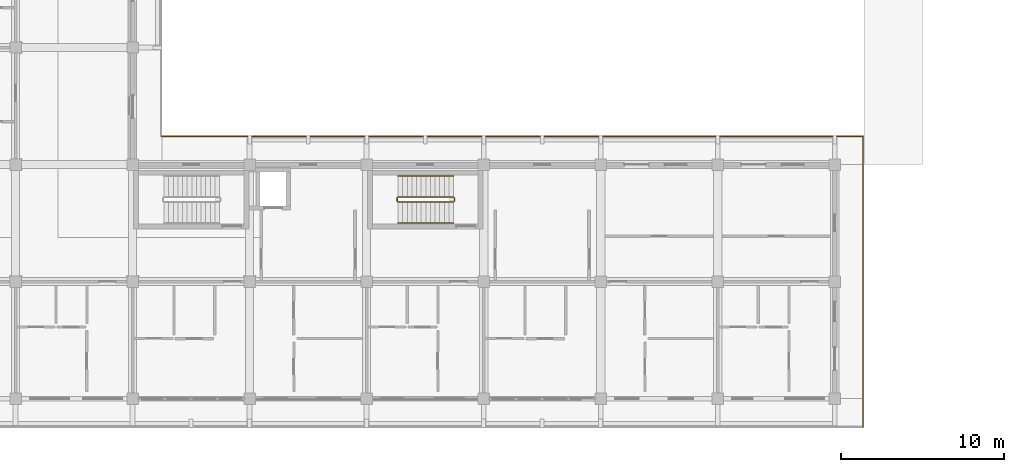
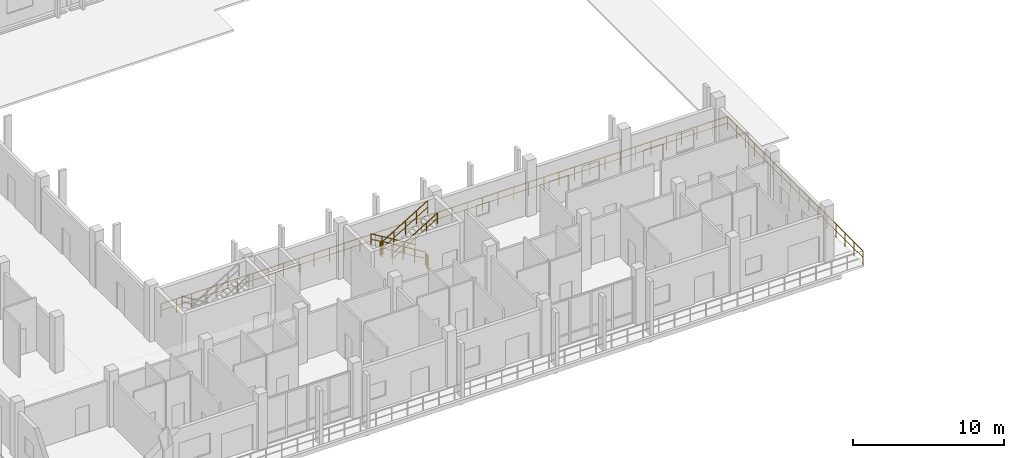
# One storey, part 95 of 110: 8 railings.
"""IFC4 building model written with IfcOpenShell, lengths in metres."""

from ifc_helpers import new_model, si_unit, direction, frame, origin, origin_2d, place, context, subcontext, project, spatial, rectangle, extrude, material, type_object, element, save


model = new_model("IFC4")

# Units and contexts
model_context = context("Model", 3, precision=1e-05, world=origin(), true_north=direction((0.0, 1.0)))
body_context = subcontext(model_context, "Body", "Model", "MODEL_VIEW")
ifc_project = project(units=[si_unit("LENGTHUNIT", "METRE"), si_unit("AREAUNIT", "SQUARE_METRE"), si_unit("VOLUMEUNIT", "CUBIC_METRE"), si_unit("PLANEANGLEUNIT", "RADIAN"), si_unit("MASSUNIT", "GRAM", prefix="KILO")], contexts=[model_context])

# Site, building, storey
site_placement = place(None, origin())
site = spatial("IfcSite", under=ifc_project, at=site_placement, CompositionType="ELEMENT")
building_placement = place(site_placement, origin())
building = spatial("IfcBuilding", under=site, at=building_placement, Name="Suanplinth Sawtooth Commons", CompositionType="ELEMENT")
storey_placement = place(building_placement, frame((0.0, 0.0, 4.5)))
storey = spatial("IfcBuildingStorey", under=building, at=storey_placement, Name="L01", CompositionType="ELEMENT", Elevation=4.5)

# Railings
ifc_material_1 = material(Name="Powder-coated galvanized steel", Category="steel")
railing_type_1 = type_object("IfcRailingType", Name="GR-01", PredefinedType="BALUSTRADE", material=ifc_material_1)
railing_1_placement = place(storey_placement, frame((16.139892578125, 16.139892578125, 0.0)))
element("IfcRailing", 1, at=railing_1_placement, inside=storey, type_object=railing_type_1, Name="L01 Block D Perimeter Balustrade 4", PredefinedType="BALUSTRADE", context=body_context, shape_type="SweptSolid", body=[
    extrude(rectangle(XDim=0.048095703125, YDim=0.048095703125, at=origin_2d()), frame((0.0, 0.0, 1.09619140625), z_axis=(1.0, 0.0, 0.0), x_axis=(0.0, 1.0, 0.0)), (0.0, 0.0, 1.0), 43.2001953125),
    extrude(rectangle(XDim=0.03369140625, YDim=0.03369140625, at=origin_2d()), frame((0.0, 0.0, 0.56005859375), z_axis=(1.0, 0.0, 0.0), x_axis=(0.0, 1.0, 0.0)), (0.0, 0.0, 1.0), 43.2001953125),
    extrude(rectangle(XDim=0.0419921875, YDim=0.0419921875, at=origin_2d()), origin(), (0.0, 0.0, 1.0), 1.072021484375),
    extrude(rectangle(XDim=0.0419921875, YDim=0.0419921875, at=origin_2d()), frame((1.16748046875, 0.0, 0.0)), (0.0, 0.0, 1.0), 1.072021484375),
    extrude(rectangle(XDim=0.0419921875, YDim=0.0419921875, at=origin_2d()), frame((2.335205078125, 0.0, 0.0)), (0.0, 0.0, 1.0), 1.072021484375),
    extrude(rectangle(XDim=0.0419921875, YDim=0.0419921875, at=origin_2d()), frame((3.502685546875, 0.0, 0.0)), (0.0, 0.0, 1.0), 1.072021484375),
    extrude(rectangle(XDim=0.0419921875, YDim=0.0419921875, at=origin_2d()), frame((4.67041015625, 0.0, 0.0)), (0.0, 0.0, 1.0), 1.072021484375),
    extrude(rectangle(XDim=0.0419921875, YDim=0.0419921875, at=origin_2d()), frame((5.837890625, 0.0, 0.0)), (0.0, 0.0, 1.0), 1.072021484375),
    extrude(rectangle(XDim=0.0419921875, YDim=0.0419921875, at=origin_2d()), frame((7.00537109375, 0.0, 0.0)), (0.0, 0.0, 1.0), 1.072021484375),
    extrude(rectangle(XDim=0.0419921875, YDim=0.0419921875, at=origin_2d()), frame((8.173095703125, 0.0, 0.0)), (0.0, 0.0, 1.0), 1.072021484375),
    extrude(rectangle(XDim=0.0419921875, YDim=0.0419921875, at=origin_2d()), frame((9.340576171875, 0.0, 0.0)), (0.0, 0.0, 1.0), 1.072021484375),
    extrude(rectangle(XDim=0.0419921875, YDim=0.0419921875, at=origin_2d()), frame((10.508056640625, 0.0, 0.0)), (0.0, 0.0, 1.0), 1.072021484375),
    extrude(rectangle(XDim=0.0419921875, YDim=0.0419921875, at=origin_2d()), frame((11.67578125, 0.0, 0.0)), (0.0, 0.0, 1.0), 1.072021484375),
    extrude(rectangle(XDim=0.0419921875, YDim=0.0419921875, at=origin_2d()), frame((12.84326171875, 0.0, 0.0)), (0.0, 0.0, 1.0), 1.072021484375),
    extrude(rectangle(XDim=0.0419921875, YDim=0.0419921875, at=origin_2d()), frame((14.010986328125, 0.0, 0.0)), (0.0, 0.0, 1.0), 1.072021484375),
    extrude(rectangle(XDim=0.0419921875, YDim=0.0419921875, at=origin_2d()), frame((15.178466796875, 0.0, 0.0)), (0.0, 0.0, 1.0), 1.072021484375),
    extrude(rectangle(XDim=0.0419921875, YDim=0.0419921875, at=origin_2d()), frame((16.345947265625, 0.0, 0.0)), (0.0, 0.0, 1.0), 1.072021484375),
    extrude(rectangle(XDim=0.0419921875, YDim=0.0419921875, at=origin_2d()), frame((17.513671875, 0.0, 0.0)), (0.0, 0.0, 1.0), 1.072021484375),
    extrude(rectangle(XDim=0.0419921875, YDim=0.0419921875, at=origin_2d()), frame((18.68115234375, 0.0, 0.0)), (0.0, 0.0, 1.0), 1.072021484375),
    extrude(rectangle(XDim=0.0419921875, YDim=0.0419921875, at=origin_2d()), frame((19.8486328125, 0.0, 0.0)), (0.0, 0.0, 1.0), 1.072021484375),
    extrude(rectangle(XDim=0.0419921875, YDim=0.0419921875, at=origin_2d()), frame((21.016357421875, 0.0, 0.0)), (0.0, 0.0, 1.0), 1.072021484375),
    extrude(rectangle(XDim=0.0419921875, YDim=0.0419921875, at=origin_2d()), frame((22.183837890625, 0.0, 0.0)), (0.0, 0.0, 1.0), 1.072021484375),
    extrude(rectangle(XDim=0.0419921875, YDim=0.0419921875, at=origin_2d()), frame((23.3515625, 0.0, 0.0)), (0.0, 0.0, 1.0), 1.072021484375),
    extrude(rectangle(XDim=0.0419921875, YDim=0.0419921875, at=origin_2d()), frame((24.51904296875, 0.0, 0.0)), (0.0, 0.0, 1.0), 1.072021484375),
    extrude(rectangle(XDim=0.0419921875, YDim=0.0419921875, at=origin_2d()), frame((25.6865234375, 0.0, 0.0)), (0.0, 0.0, 1.0), 1.072021484375),
    extrude(rectangle(XDim=0.0419921875, YDim=0.0419921875, at=origin_2d()), frame((26.854248046875, 0.0, 0.0)), (0.0, 0.0, 1.0), 1.072021484375),
    extrude(rectangle(XDim=0.0419921875, YDim=0.0419921875, at=origin_2d()), frame((28.021728515625, 0.0, 0.0)), (0.0, 0.0, 1.0), 1.072021484375),
    extrude(rectangle(XDim=0.0419921875, YDim=0.0419921875, at=origin_2d()), frame((29.189208984375, 0.0, 0.0)), (0.0, 0.0, 1.0), 1.072021484375),
    extrude(rectangle(XDim=0.0419921875, YDim=0.0419921875, at=origin_2d()), frame((30.35693359375, 0.0, 0.0)), (0.0, 0.0, 1.0), 1.072021484375),
    extrude(rectangle(XDim=0.0419921875, YDim=0.0419921875, at=origin_2d()), frame((31.5244140625, 0.0, 0.0)), (0.0, 0.0, 1.0), 1.072021484375),
    extrude(rectangle(XDim=0.0419921875, YDim=0.0419921875, at=origin_2d()), frame((32.692138671875, 0.0, 0.0)), (0.0, 0.0, 1.0), 1.072021484375),
    extrude(rectangle(XDim=0.0419921875, YDim=0.0419921875, at=origin_2d()), frame((33.859619140625, 0.0, 0.0)), (0.0, 0.0, 1.0), 1.072021484375),
    extrude(rectangle(XDim=0.0419921875, YDim=0.0419921875, at=origin_2d()), frame((35.027099609375, 0.0, 0.0)), (0.0, 0.0, 1.0), 1.072021484375),
    extrude(rectangle(XDim=0.0419921875, YDim=0.0419921875, at=origin_2d()), frame((36.19482421875, 0.0, 0.0)), (0.0, 0.0, 1.0), 1.072021484375),
    extrude(rectangle(XDim=0.0419921875, YDim=0.0419921875, at=origin_2d()), frame((37.3623046875, 0.0, 0.0)), (0.0, 0.0, 1.0), 1.072021484375),
    extrude(rectangle(XDim=0.0419921875, YDim=0.0419921875, at=origin_2d()), frame((38.52978515625, 0.0, 0.0)), (0.0, 0.0, 1.0), 1.072021484375),
    extrude(rectangle(XDim=0.0419921875, YDim=0.0419921875, at=origin_2d()), frame((39.697509765625, 0.0, 0.0)), (0.0, 0.0, 1.0), 1.072021484375),
    extrude(rectangle(XDim=0.0419921875, YDim=0.0419921875, at=origin_2d()), frame((40.864990234375, 0.0, 0.0)), (0.0, 0.0, 1.0), 1.072021484375),
    extrude(rectangle(XDim=0.0419921875, YDim=0.0419921875, at=origin_2d()), frame((42.03271484375, 0.0, 0.0)), (0.0, 0.0, 1.0), 1.072021484375),
    extrude(rectangle(XDim=0.0419921875, YDim=0.0419921875, at=origin_2d()), frame((43.2001953125, 0.0, 0.0)), (0.0, 0.0, 1.0), 1.072021484375),
])
railing_2_placement = place(storey_placement, frame((59.340087890625, 16.139892578125, 0.0)))
element("IfcRailing", 2, at=railing_2_placement, inside=storey, type_object=railing_type_1, Name="L01 Block D Perimeter Balustrade 5", PredefinedType="BALUSTRADE", context=body_context, shape_type="SweptSolid", body=[
    extrude(rectangle(XDim=0.048095703125, YDim=0.048095703125, at=origin_2d()), frame((0.0, 0.0, 1.09619140625), z_axis=(0.0, -1.0, 0.0), x_axis=(1.0, 0.0, 0.0)), (0.0, 0.0, 1.0), 17.8798828125),
    extrude(rectangle(XDim=0.03369140625, YDim=0.03369140625, at=origin_2d()), frame((0.0, 0.0, 0.56005859375), z_axis=(0.0, -1.0, 0.0), x_axis=(1.0, 0.0, 0.0)), (0.0, 0.0, 1.0), 17.8798828125),
    extrude(rectangle(XDim=0.0419921875, YDim=0.0419921875, at=origin_2d()), origin(), (0.0, 0.0, 1.0), 1.072021484375),
    extrude(rectangle(XDim=0.0419921875, YDim=0.0419921875, at=origin_2d()), frame((0.0, -1.19189453125, 0.0)), (0.0, 0.0, 1.0), 1.072021484375),
    extrude(rectangle(XDim=0.0419921875, YDim=0.0419921875, at=origin_2d()), frame((0.0, -2.384033203125, 0.0)), (0.0, 0.0, 1.0), 1.072021484375),
    extrude(rectangle(XDim=0.0419921875, YDim=0.0419921875, at=origin_2d()), frame((0.0, -3.575927734375, 0.0)), (0.0, 0.0, 1.0), 1.072021484375),
    extrude(rectangle(XDim=0.0419921875, YDim=0.0419921875, at=origin_2d()), frame((0.0, -4.76806640625, 0.0)), (0.0, 0.0, 1.0), 1.072021484375),
    extrude(rectangle(XDim=0.0419921875, YDim=0.0419921875, at=origin_2d()), frame((0.0, -5.9599609375, 0.0)), (0.0, 0.0, 1.0), 1.072021484375),
    extrude(rectangle(XDim=0.0419921875, YDim=0.0419921875, at=origin_2d()), frame((0.0, -7.15185546875, 0.0)), (0.0, 0.0, 1.0), 1.072021484375),
    extrude(rectangle(XDim=0.0419921875, YDim=0.0419921875, at=origin_2d()), frame((0.0, -8.343994140625, 0.0)), (0.0, 0.0, 1.0), 1.072021484375),
    extrude(rectangle(XDim=0.0419921875, YDim=0.0419921875, at=origin_2d()), frame((0.0, -9.535888671875, 0.0)), (0.0, 0.0, 1.0), 1.072021484375),
    extrude(rectangle(XDim=0.0419921875, YDim=0.0419921875, at=origin_2d()), frame((0.0, -10.72802734375, 0.0)), (0.0, 0.0, 1.0), 1.072021484375),
    extrude(rectangle(XDim=0.0419921875, YDim=0.0419921875, at=origin_2d()), frame((0.0, -11.919921875, 0.0)), (0.0, 0.0, 1.0), 1.072021484375),
    extrude(rectangle(XDim=0.0419921875, YDim=0.0419921875, at=origin_2d()), frame((0.0, -13.11181640625, 0.0)), (0.0, 0.0, 1.0), 1.072021484375),
    extrude(rectangle(XDim=0.0419921875, YDim=0.0419921875, at=origin_2d()), frame((0.0, -14.303955078125, 0.0)), (0.0, 0.0, 1.0), 1.072021484375),
    extrude(rectangle(XDim=0.0419921875, YDim=0.0419921875, at=origin_2d()), frame((0.0, -15.495849609375, 0.0)), (0.0, 0.0, 1.0), 1.072021484375),
    extrude(rectangle(XDim=0.0419921875, YDim=0.0419921875, at=origin_2d()), frame((0.0, -16.68798828125, 0.0)), (0.0, 0.0, 1.0), 1.072021484375),
    extrude(rectangle(XDim=0.0419921875, YDim=0.0419921875, at=origin_2d()), frame((0.0, -17.8798828125, 0.0)), (0.0, 0.0, 1.0), 1.072021484375),
])
ifc_material_2 = material(Name="Stainless steel Grade 304", Category="steel")
railing_type_2 = type_object("IfcRailingType", Name="GR-04", PredefinedType="GUARDRAIL", material=ifc_material_2)
railing_3_placement = place(storey_placement, frame((34.14990234375, 12.39990234375, 0.173095703125)))
element("IfcRailing", 3, at=railing_3_placement, inside=storey, type_object=railing_type_2, Name="L01 ST-W2 Guard 1", PredefinedType="GUARDRAIL", context=body_context, shape_type="SweptSolid", body=[
    extrude(rectangle(XDim=0.048095703125, YDim=0.048095703125, at=origin_2d()), frame((0.0, 0.0, 1.076171875), z_axis=(-0.854729506542, 0.0, 0.519073665916), x_axis=(0.0, -1.0, 0.0)), (0.0, 0.0, 1.0), 4.001220703125),
    extrude(rectangle(XDim=0.03369140625, YDim=0.03369140625, at=origin_2d()), frame((0.0, 0.0, 0.550048828125), z_axis=(-0.854729506542, 0.0, 0.519073665916), x_axis=(0.0, -1.0, 0.0)), (0.0, 0.0, 1.0), 4.001220703125),
    extrude(rectangle(XDim=0.0419921875, YDim=0.0419921875, at=origin_2d()), origin(), (0.0, 0.0, 1.0), 1.052001953125),
    extrude(rectangle(XDim=0.0419921875, YDim=0.0419921875, at=origin_2d()), frame((-0.85498046875, 0.0, 0.519287109375)), (0.0, 0.0, 1.0), 1.052001953125),
    extrude(rectangle(XDim=0.0419921875, YDim=0.0419921875, at=origin_2d()), frame((-1.7099609375, 0.0, 1.03857421875)), (0.0, 0.0, 1.0), 1.052001953125),
    extrude(rectangle(XDim=0.0419921875, YDim=0.0419921875, at=origin_2d()), frame((-2.56494140625, 0.0, 1.5576171875)), (0.0, 0.0, 1.0), 1.052001953125),
    extrude(rectangle(XDim=0.0419921875, YDim=0.0419921875, at=origin_2d()), frame((-3.419921875, 0.0, 2.076904296875)), (0.0, 0.0, 1.0), 1.052001953125),
])
railing_4_placement = place(storey_placement, frame((30.679931640625, 12.35009765625, 2.25)))
element("IfcRailing", 4, at=railing_4_placement, inside=storey, type_object=railing_type_2, Name="L01 ST-W2 Guard 2", PredefinedType="GUARDRAIL", context=body_context, shape_type="SweptSolid", body=[
    extrude(rectangle(XDim=0.048095703125, YDim=0.048095703125, at=origin_2d()), frame((0.0, 0.0, 1.076171875), z_axis=(0.0, -1.0, 0.0), x_axis=(1.0, 0.0, 0.0)), (0.0, 0.0, 1.0), 0.2001953125),
    extrude(rectangle(XDim=0.03369140625, YDim=0.03369140625, at=origin_2d()), frame((0.0, 0.0, 0.550048828125), z_axis=(0.0, -1.0, 0.0), x_axis=(1.0, 0.0, 0.0)), (0.0, 0.0, 1.0), 0.2001953125),
    extrude(rectangle(XDim=0.0419921875, YDim=0.0419921875, at=origin_2d()), origin(), (0.0, 0.0, 1.0), 1.052001953125),
    extrude(rectangle(XDim=0.0419921875, YDim=0.0419921875, at=origin_2d()), frame((0.0, -0.2001953125, 0.0)), (0.0, 0.0, 1.0), 1.052001953125),
])
railing_5_placement = place(storey_placement, frame((30.72998046875, 12.10009765625, 2.423095703125)))
element("IfcRailing", 5, at=railing_5_placement, inside=storey, type_object=railing_type_2, Name="L01 ST-W2 Guard 3", PredefinedType="GUARDRAIL", context=body_context, shape_type="SweptSolid", body=[
    extrude(rectangle(XDim=0.048095703125, YDim=0.048095703125, at=origin_2d()), frame((0.0, 0.0, 1.076171875), z_axis=(0.854729506542, 0.0, 0.519073665916), x_axis=(0.0, 1.0, 0.0)), (0.0, 0.0, 1.0), 4.001220703125),
    extrude(rectangle(XDim=0.03369140625, YDim=0.03369140625, at=origin_2d()), frame((0.0, 0.0, 0.550048828125), z_axis=(0.854729506542, 0.0, 0.519073665916), x_axis=(0.0, 1.0, 0.0)), (0.0, 0.0, 1.0), 4.001220703125),
    extrude(rectangle(XDim=0.0419921875, YDim=0.0419921875, at=origin_2d()), origin(), (0.0, 0.0, 1.0), 1.052001953125),
    extrude(rectangle(XDim=0.0419921875, YDim=0.0419921875, at=origin_2d()), frame((0.85498046875, 0.0, 0.519287109375)), (0.0, 0.0, 1.0), 1.052001953125),
    extrude(rectangle(XDim=0.0419921875, YDim=0.0419921875, at=origin_2d()), frame((1.7099609375, 0.0, 1.03857421875)), (0.0, 0.0, 1.0), 1.052001953125),
    extrude(rectangle(XDim=0.0419921875, YDim=0.0419921875, at=origin_2d()), frame((2.56494140625, 0.0, 1.5576171875)), (0.0, 0.0, 1.0), 1.052001953125),
    extrude(rectangle(XDim=0.0419921875, YDim=0.0419921875, at=origin_2d()), frame((3.419921875, 0.0, 2.076904296875)), (0.0, 0.0, 1.0), 1.052001953125),
])
railing_6_placement = place(storey_placement, frame((34.199951171875, 12.35009765625, 0.0)))
element("IfcRailing", 6, at=railing_6_placement, inside=storey, type_object=railing_type_2, Name="L01 ST-W2 Guard 4", PredefinedType="GUARDRAIL", context=body_context, shape_type="SweptSolid", body=[
    extrude(rectangle(XDim=0.048095703125, YDim=0.048095703125, at=origin_2d()), frame((0.0, 0.0, 1.076171875), z_axis=(0.0, -1.0, 0.0), x_axis=(1.0, 0.0, 0.0)), (0.0, 0.0, 1.0), 0.2001953125),
    extrude(rectangle(XDim=0.03369140625, YDim=0.03369140625, at=origin_2d()), frame((0.0, 0.0, 0.550048828125), z_axis=(0.0, -1.0, 0.0), x_axis=(1.0, 0.0, 0.0)), (0.0, 0.0, 1.0), 0.2001953125),
    extrude(rectangle(XDim=0.0419921875, YDim=0.0419921875, at=origin_2d()), origin(), (0.0, 0.0, 1.0), 1.052001953125),
    extrude(rectangle(XDim=0.0419921875, YDim=0.0419921875, at=origin_2d()), frame((0.0, -0.2001953125, 0.0)), (0.0, 0.0, 1.0), 1.052001953125),
])
railing_type_3 = type_object("IfcRailingType", Name="HR-01", PredefinedType="HANDRAIL", material=ifc_material_2)
railing_7_placement = place(storey_placement, frame((34.14990234375, 13.699951171875, 0.173095703125)))
element("IfcRailing", 7, at=railing_7_placement, inside=storey, type_object=railing_type_3, Name="L01 ST-W2 Handrail 1", PredefinedType="HANDRAIL", context=body_context, shape_type="SweptSolid", body=[
    extrude(rectangle(XDim=0.048095703125, YDim=0.048095703125, at=origin_2d()), frame((0.0, 0.0, 0.8759765625), z_axis=(-0.854729506542, 0.0, 0.519073665916), x_axis=(0.0, -1.0, 0.0)), (0.0, 0.0, 1.0), 4.001220703125),
    extrude(rectangle(XDim=0.03369140625, YDim=0.03369140625, at=origin_2d()), frame((0.0, 0.0, 0.449951171875), z_axis=(-0.854729506542, 0.0, 0.519073665916), x_axis=(0.0, -1.0, 0.0)), (0.0, 0.0, 1.0), 4.001220703125),
    extrude(rectangle(XDim=0.0419921875, YDim=0.0419921875, at=origin_2d()), origin(), (0.0, 0.0, 1.0), 0.851806640625),
    extrude(rectangle(XDim=0.0419921875, YDim=0.0419921875, at=origin_2d()), frame((-0.85498046875, 0.0, 0.519287109375)), (0.0, 0.0, 1.0), 0.851806640625),
    extrude(rectangle(XDim=0.0419921875, YDim=0.0419921875, at=origin_2d()), frame((-1.7099609375, 0.0, 1.03857421875)), (0.0, 0.0, 1.0), 0.851806640625),
    extrude(rectangle(XDim=0.0419921875, YDim=0.0419921875, at=origin_2d()), frame((-2.56494140625, 0.0, 1.5576171875)), (0.0, 0.0, 1.0), 0.851806640625),
    extrude(rectangle(XDim=0.0419921875, YDim=0.0419921875, at=origin_2d()), frame((-3.419921875, 0.0, 2.076904296875)), (0.0, 0.0, 1.0), 0.851806640625),
])
railing_8_placement = place(storey_placement, frame((30.72998046875, 10.800048828125, 2.423095703125)))
element("IfcRailing", 8, at=railing_8_placement, inside=storey, type_object=railing_type_3, Name="L01 ST-W2 Handrail 2", PredefinedType="HANDRAIL", context=body_context, shape_type="SweptSolid", body=[
    extrude(rectangle(XDim=0.048095703125, YDim=0.048095703125, at=origin_2d()), frame((0.0, 0.0, 0.8759765625), z_axis=(0.854729506542, 0.0, 0.519073665916), x_axis=(0.0, 1.0, 0.0)), (0.0, 0.0, 1.0), 4.001220703125),
    extrude(rectangle(XDim=0.03369140625, YDim=0.03369140625, at=origin_2d()), frame((0.0, 0.0, 0.449951171875), z_axis=(0.854729506542, 0.0, 0.519073665916), x_axis=(0.0, 1.0, 0.0)), (0.0, 0.0, 1.0), 4.001220703125),
    extrude(rectangle(XDim=0.0419921875, YDim=0.0419921875, at=origin_2d()), origin(), (0.0, 0.0, 1.0), 0.851806640625),
    extrude(rectangle(XDim=0.0419921875, YDim=0.0419921875, at=origin_2d()), frame((0.85498046875, 0.0, 0.519287109375)), (0.0, 0.0, 1.0), 0.851806640625),
    extrude(rectangle(XDim=0.0419921875, YDim=0.0419921875, at=origin_2d()), frame((1.7099609375, 0.0, 1.03857421875)), (0.0, 0.0, 1.0), 0.851806640625),
    extrude(rectangle(XDim=0.0419921875, YDim=0.0419921875, at=origin_2d()), frame((2.56494140625, 0.0, 1.5576171875)), (0.0, 0.0, 1.0), 0.851806640625),
    extrude(rectangle(XDim=0.0419921875, YDim=0.0419921875, at=origin_2d()), frame((3.419921875, 0.0, 2.076904296875)), (0.0, 0.0, 1.0), 0.851806640625),
])

save(model, "model.ifc")
